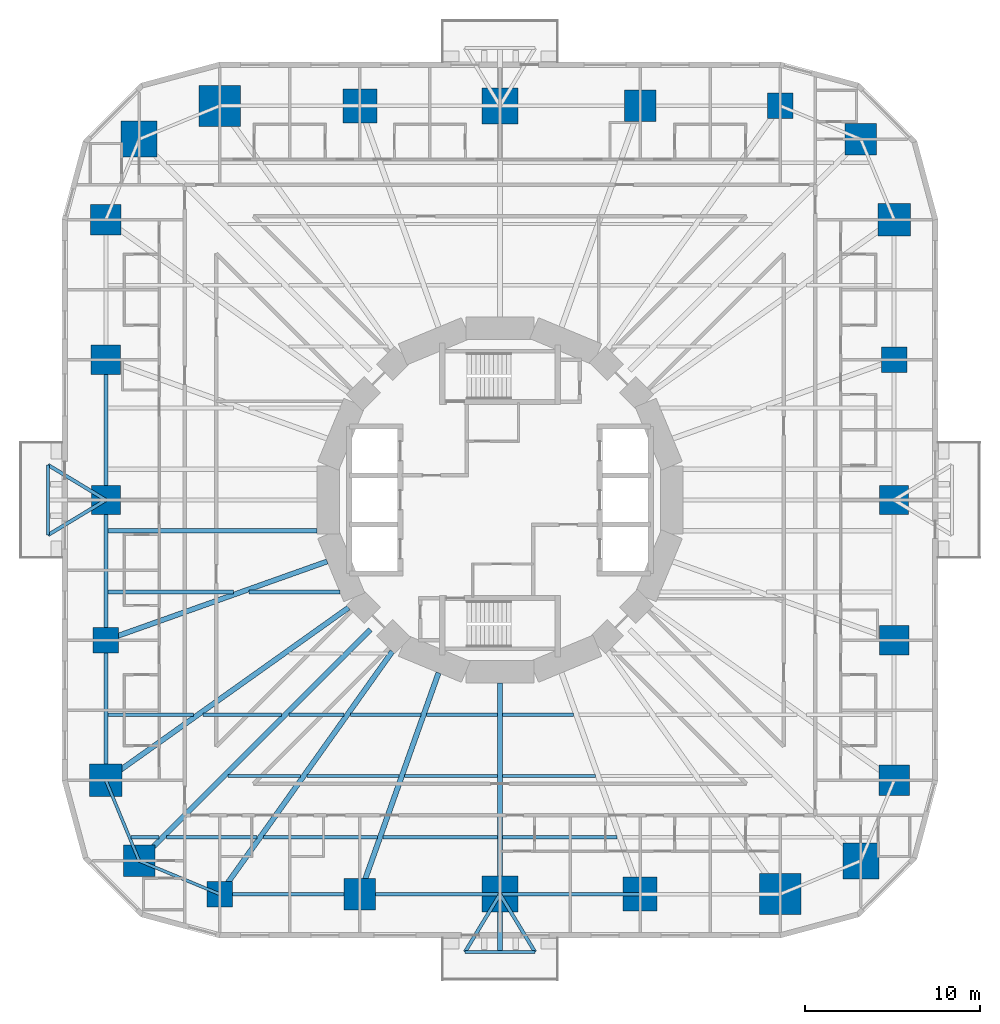
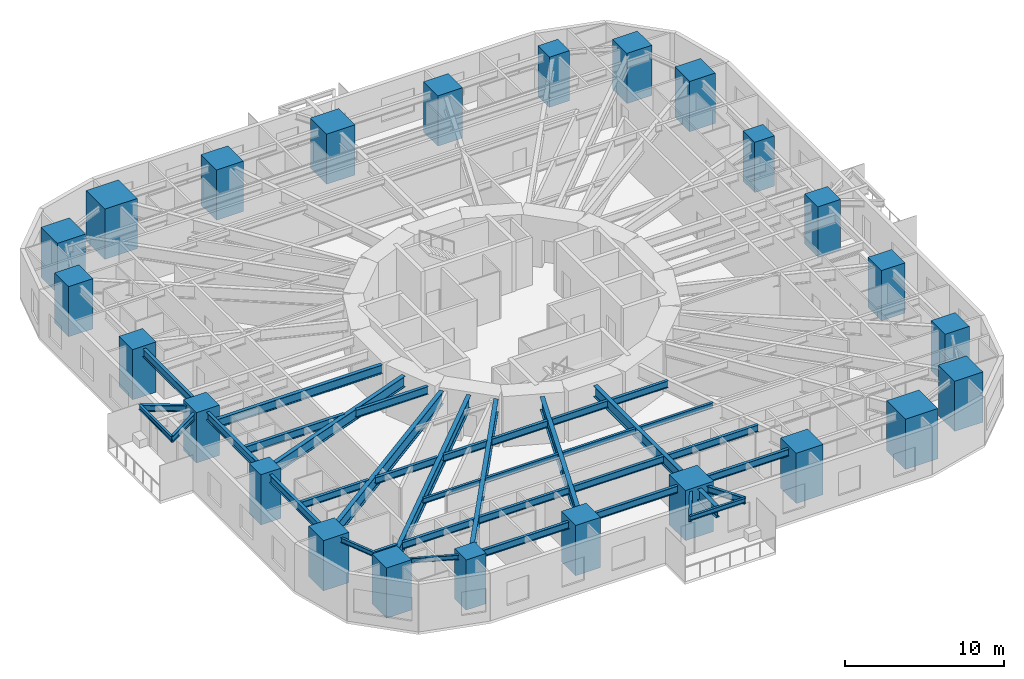
# One storey, part 1 of 14: 38 beams, 24 columns.
"""IFC4 building model written with IfcOpenShell, lengths in metres."""

from ifc_helpers import new_model, si_unit, direction, frame, origin, origin_2d, place, context, subcontext, project, spatial, rectangle, i_section, extrude, material, material_profile, profile_set, type_object, element, save


model = new_model("IFC4")

# Units and contexts
model_context = context("Model", 3, precision=1e-05, world=origin(), true_north=direction((0.0, 1.0)))
body_context = subcontext(model_context, "Body", "Model", "MODEL_VIEW")
ifc_project = project(units=[si_unit("LENGTHUNIT", "METRE"), si_unit("AREAUNIT", "SQUARE_METRE"), si_unit("VOLUMEUNIT", "CUBIC_METRE"), si_unit("PLANEANGLEUNIT", "RADIAN"), si_unit("MASSUNIT", "GRAM", prefix="KILO")], contexts=[model_context])

# Site, building, storey
site_placement = place(None, origin())
site = spatial("IfcSite", under=ifc_project, at=site_placement, CompositionType="ELEMENT")
building_placement = place(site_placement, origin())
building = spatial("IfcBuilding", under=site, at=building_placement, Name="Nakasero Lantern House", CompositionType="ELEMENT")
storey_placement = place(building_placement, frame((0.0, 0.0, 39.10009765625)))
storey = spatial("IfcBuildingStorey", under=building, at=storey_placement, Name="L09", CompositionType="ELEMENT", Elevation=39.10009765625)

# Columns
ifc_material_1 = material(Name="Concrete C50/60", Category="concrete")
ifc_material_profile_1 = material_profile(ifc_material_1, rectangle(XDim=1.800048828125, YDim=1.800048828125, at=origin_2d()), Name="RC 1800x1800")
ifc_profile_set_1 = profile_set([ifc_material_profile_1], Name="Concrete C50/60")
column_type_1 = type_object("IfcColumnType", Name="Mega column RC 1800x1800 C50/60", PredefinedType="COLUMN", material=ifc_profile_set_1)
for number, where, z_axis, x_axis, name in (
    (1, (20.59619140625, 20.59619140625, 0.0), (0.0, 0.0, 1.0), (1.0, 0.0, 0.0), "Column B1-C06 L09"),
    (2, (-20.59619140625, -20.59619140625, 0.0), (0.0, 0.0, 1.0), (1.0, 0.0, 0.0), "Column B1-C18 L09"),
):
    element("IfcColumn", number, at=place(storey_placement, frame(where, z_axis=z_axis, x_axis=x_axis)), inside=storey, type_object=column_type_1, Name=name, PredefinedType="COLUMN", context=body_context, shape_type="SweptSolid", body=[
        extrude(rectangle(XDim=1.800048828125, YDim=1.800048828125, at=origin_2d()), origin(), (0.0, 0.0, 1.0), 3.849853515625),
    ])
ifc_material_2 = material(Name="Concrete C50/60", Category="concrete")
ifc_material_profile_2 = material_profile(ifc_material_2, rectangle(XDim=2.050048828125, YDim=2.050048828125, at=origin_2d()), Name="RC 2050x2050")
ifc_profile_set_2 = profile_set([ifc_material_profile_2], Name="Concrete C50/60")
column_type_2 = type_object("IfcColumnType", Name="Mega column RC 2050x2050 C50/60", PredefinedType="COLUMN", material=ifc_profile_set_2)
for number, where, z_axis, x_axis, name in (
    (3, (-20.59619140625, 20.59619140625, 0.0), (0.0, 0.0, 1.0), (1.0, 0.0, 0.0), "Column B1-C12 L09"),
    (4, (20.59619140625, -20.59619140625, 0.0), (0.0, 0.0, 1.0), (1.0, 0.0, 0.0), "Column B1-C24 L09"),
):
    element("IfcColumn", number, at=place(storey_placement, frame(where, z_axis=z_axis, x_axis=x_axis)), inside=storey, type_object=column_type_2, Name=name, PredefinedType="COLUMN", context=body_context, shape_type="SweptSolid", body=[
        extrude(rectangle(XDim=2.050048828125, YDim=2.050048828125, at=origin_2d()), origin(), (0.0, 0.0, 1.0), 3.849853515625),
    ])
ifc_material_3 = material(Name="Concrete C50/60", Category="concrete")
ifc_material_profile_3 = material_profile(ifc_material_3, rectangle(XDim=1.449951171875, YDim=1.449951171875, at=origin_2d()), Name="RC 1450x1450")
ifc_profile_set_3 = profile_set([ifc_material_profile_3], Name="Concrete C50/60")
column_type_3 = type_object("IfcColumnType", Name="Ring column RC 1450x1450 C50/60", PredefinedType="COLUMN", material=ifc_profile_set_3)
for number, where, z_axis, x_axis, name in (
    (5, (22.5, 8.0, 0.0), (0.0, 0.0, 1.0), (1.0, 0.0, 0.0), "Column B1-C04 L09"),
    (6, (16.0, 22.5, 0.0), (0.0, 0.0, 1.0), (1.0, 0.0, 0.0), "Column B1-C07 L09"),
    (7, (-22.5, -8.0, 0.0), (0.0, 0.0, 1.0), (1.0, 0.0, 0.0), "Column B1-C16 L09"),
    (8, (-16.0, -22.5, 0.0), (0.0, 0.0, 1.0), (1.0, 0.0, 0.0), "Column B1-C19 L09"),
):
    element("IfcColumn", number, at=place(storey_placement, frame(where, z_axis=z_axis, x_axis=x_axis)), inside=storey, type_object=column_type_3, Name=name, PredefinedType="COLUMN", context=body_context, shape_type="SweptSolid", body=[
        extrude(rectangle(XDim=1.449951171875, YDim=1.449951171875, at=origin_2d()), origin(), (0.0, 0.0, 1.0), 3.849853515625),
    ])
ifc_material_4 = material(Name="Concrete C50/60", Category="concrete")
ifc_material_profile_4 = material_profile(ifc_material_4, rectangle(XDim=1.64990234375, YDim=1.64990234375, at=origin_2d()), Name="RC 1650x1650")
ifc_profile_set_4 = profile_set([ifc_material_profile_4], Name="Concrete C50/60")
column_type_4 = type_object("IfcColumnType", Name="Ring column RC 1650x1650 C50/60", PredefinedType="COLUMN", material=ifc_profile_set_4)
for number, where, z_axis, x_axis, name in (
    (9, (22.5, 0.0, 0.0), (0.0, 0.0, 1.0), (1.0, 0.0, 0.0), "Column B1-C03 L09"),
    (10, (-22.5, 0.0, 0.0), (0.0, 0.0, 1.0), (1.0, 0.0, 0.0), "Column B1-C15 L09"),
):
    element("IfcColumn", number, at=place(storey_placement, frame(where, z_axis=z_axis, x_axis=x_axis)), inside=storey, type_object=column_type_4, Name=name, PredefinedType="COLUMN", context=body_context, shape_type="SweptSolid", body=[
        extrude(rectangle(XDim=1.64990234375, YDim=1.64990234375, at=origin_2d()), origin(), (0.0, 0.0, 1.0), 3.849853515625),
    ])
ifc_material_5 = material(Name="Concrete C50/60", Category="concrete")
ifc_material_profile_5 = material_profile(ifc_material_5, rectangle(XDim=1.699951171875, YDim=1.699951171875, at=origin_2d()), Name="RC 1700x1700")
ifc_profile_set_5 = profile_set([ifc_material_profile_5], Name="Concrete C50/60")
column_type_5 = type_object("IfcColumnType", Name="Ring column RC 1700x1700 C50/60", PredefinedType="COLUMN", material=ifc_profile_set_5)
for number, where, z_axis, x_axis, name in (
    (11, (22.5, -8.0, 0.0), (0.0, 0.0, 1.0), (1.0, 0.0, 0.0), "Column B1-C02 L09"),
    (12, (-22.5, 8.0, 0.0), (0.0, 0.0, 1.0), (1.0, 0.0, 0.0), "Column B1-C14 L09"),
):
    element("IfcColumn", number, at=place(storey_placement, frame(where, z_axis=z_axis, x_axis=x_axis)), inside=storey, type_object=column_type_5, Name=name, PredefinedType="COLUMN", context=body_context, shape_type="SweptSolid", body=[
        extrude(rectangle(XDim=1.699951171875, YDim=1.699951171875, at=origin_2d()), origin(), (0.0, 0.0, 1.0), 3.849853515625),
    ])
ifc_material_6 = material(Name="Concrete C50/60", Category="concrete")
ifc_material_profile_6 = material_profile(ifc_material_6, rectangle(XDim=1.75, YDim=1.75, at=origin_2d()), Name="RC 1750x1750")
ifc_profile_set_6 = profile_set([ifc_material_profile_6], Name="Concrete C50/60")
column_type_6 = type_object("IfcColumnType", Name="Ring column RC 1750x1750 C50/60", PredefinedType="COLUMN", material=ifc_profile_set_6)
for number, where, z_axis, x_axis, name in (
    (13, (22.5, -16.0, 0.0), (0.0, 0.0, 1.0), (1.0, 0.0, 0.0), "Column B1-C01 L09"),
    (14, (-22.5, 16.0, 0.0), (0.0, 0.0, 1.0), (1.0, 0.0, 0.0), "Column B1-C13 L09"),
):
    element("IfcColumn", number, at=place(storey_placement, frame(where, z_axis=z_axis, x_axis=x_axis)), inside=storey, type_object=column_type_6, Name=name, PredefinedType="COLUMN", context=body_context, shape_type="SweptSolid", body=[
        extrude(rectangle(XDim=1.75, YDim=1.75, at=origin_2d()), origin(), (0.0, 0.0, 1.0), 3.849853515625),
    ])
ifc_material_7 = material(Name="Concrete C50/60", Category="concrete")
ifc_material_profile_7 = material_profile(ifc_material_7, rectangle(XDim=1.800048828125, YDim=1.800048828125, at=origin_2d()), Name="RC 1800x1800")
ifc_profile_set_7 = profile_set([ifc_material_profile_7], Name="Concrete C50/60")
column_type_7 = type_object("IfcColumnType", Name="Ring column RC 1800x1800 C50/60", PredefinedType="COLUMN", material=ifc_profile_set_7)
for number, where, z_axis, x_axis, name in (
    (15, (8.0, 22.5, 0.0), (0.0, 0.0, 1.0), (1.0, 0.0, 0.0), "Column B1-C08 L09"),
    (16, (-8.0, -22.5, 0.0), (0.0, 0.0, 1.0), (1.0, 0.0, 0.0), "Column B1-C20 L09"),
):
    element("IfcColumn", number, at=place(storey_placement, frame(where, z_axis=z_axis, x_axis=x_axis)), inside=storey, type_object=column_type_7, Name=name, PredefinedType="COLUMN", context=body_context, shape_type="SweptSolid", body=[
        extrude(rectangle(XDim=1.800048828125, YDim=1.800048828125, at=origin_2d()), origin(), (0.0, 0.0, 1.0), 3.849853515625),
    ])
ifc_material_8 = material(Name="Concrete C50/60", Category="concrete")
ifc_material_profile_8 = material_profile(ifc_material_8, rectangle(XDim=1.85009765625, YDim=1.85009765625, at=origin_2d()), Name="RC 1850x1850")
ifc_profile_set_8 = profile_set([ifc_material_profile_8], Name="Concrete C50/60")
column_type_8 = type_object("IfcColumnType", Name="Ring column RC 1850x1850 C50/60", PredefinedType="COLUMN", material=ifc_profile_set_8)
for number, where, z_axis, x_axis, name in (
    (17, (22.5, 16.0, 0.0), (0.0, 0.0, 1.0), (1.0, 0.0, 0.0), "Column B1-C05 L09"),
    (18, (-22.5, -16.0, 0.0), (0.0, 0.0, 1.0), (1.0, 0.0, 0.0), "Column B1-C17 L09"),
):
    element("IfcColumn", number, at=place(storey_placement, frame(where, z_axis=z_axis, x_axis=x_axis)), inside=storey, type_object=column_type_8, Name=name, PredefinedType="COLUMN", context=body_context, shape_type="SweptSolid", body=[
        extrude(rectangle(XDim=1.85009765625, YDim=1.85009765625, at=origin_2d()), origin(), (0.0, 0.0, 1.0), 3.849853515625),
    ])
ifc_material_9 = material(Name="Concrete C50/60", Category="concrete")
ifc_material_profile_9 = material_profile(ifc_material_9, rectangle(XDim=1.949951171875, YDim=1.949951171875, at=origin_2d()), Name="RC 1950x1950")
ifc_profile_set_9 = profile_set([ifc_material_profile_9], Name="Concrete C50/60")
column_type_9 = type_object("IfcColumnType", Name="Ring column RC 1950x1950 C50/60", PredefinedType="COLUMN", material=ifc_profile_set_9)
for number, where, z_axis, x_axis, name in (
    (19, (-8.0, 22.5, 0.0), (0.0, 0.0, 1.0), (1.0, 0.0, 0.0), "Column B1-C10 L09"),
    (20, (8.0, -22.5, 0.0), (0.0, 0.0, 1.0), (1.0, 0.0, 0.0), "Column B1-C22 L09"),
):
    element("IfcColumn", number, at=place(storey_placement, frame(where, z_axis=z_axis, x_axis=x_axis)), inside=storey, type_object=column_type_9, Name=name, PredefinedType="COLUMN", context=body_context, shape_type="SweptSolid", body=[
        extrude(rectangle(XDim=1.949951171875, YDim=1.949951171875, at=origin_2d()), origin(), (0.0, 0.0, 1.0), 3.849853515625),
    ])
ifc_material_10 = material(Name="Concrete C50/60", Category="concrete")
ifc_material_profile_10 = material_profile(ifc_material_10, rectangle(XDim=2.050048828125, YDim=2.050048828125, at=origin_2d()), Name="RC 2050x2050")
ifc_profile_set_10 = profile_set([ifc_material_profile_10], Name="Concrete C50/60")
column_type_10 = type_object("IfcColumnType", Name="Ring column RC 2050x2050 C50/60", PredefinedType="COLUMN", material=ifc_profile_set_10)
for number, where, z_axis, x_axis, name in (
    (21, (0.0, 22.5, 0.0), (0.0, 0.0, 1.0), (1.0, 0.0, 0.0), "Column B1-C09 L09"),
    (22, (0.0, -22.5, 0.0), (0.0, 0.0, 1.0), (1.0, 0.0, 0.0), "Column B1-C21 L09"),
):
    element("IfcColumn", number, at=place(storey_placement, frame(where, z_axis=z_axis, x_axis=x_axis)), inside=storey, type_object=column_type_10, Name=name, PredefinedType="COLUMN", context=body_context, shape_type="SweptSolid", body=[
        extrude(rectangle(XDim=2.050048828125, YDim=2.050048828125, at=origin_2d()), origin(), (0.0, 0.0, 1.0), 3.849853515625),
    ])
ifc_material_11 = material(Name="Concrete C50/60", Category="concrete")
ifc_material_profile_11 = material_profile(ifc_material_11, rectangle(XDim=2.35009765625, YDim=2.35009765625, at=origin_2d()), Name="RC 2350x2350")
ifc_profile_set_11 = profile_set([ifc_material_profile_11], Name="Concrete C50/60")
column_type_11 = type_object("IfcColumnType", Name="Ring column RC 2350x2350 C50/60", PredefinedType="COLUMN", material=ifc_profile_set_11)
for number, where, z_axis, x_axis, name in (
    (23, (-16.0, 22.5, 0.0), (0.0, 0.0, 1.0), (1.0, 0.0, 0.0), "Column B1-C11 L09"),
    (24, (16.0, -22.5, 0.0), (0.0, 0.0, 1.0), (1.0, 0.0, 0.0), "Column B1-C23 L09"),
):
    element("IfcColumn", number, at=place(storey_placement, frame(where, z_axis=z_axis, x_axis=x_axis)), inside=storey, type_object=column_type_11, Name=name, PredefinedType="COLUMN", context=body_context, shape_type="SweptSolid", body=[
        extrude(rectangle(XDim=2.35009765625, YDim=2.35009765625, at=origin_2d()), origin(), (0.0, 0.0, 1.0), 3.849853515625),
    ])

# Beams
ifc_material_12 = material(Name="Steel S355", Category="steel")
ifc_material_profile_12 = material_profile(ifc_material_12, i_section(OverallWidth=0.199462890625, OverallDepth=0.491943359375, WebThickness=0.01806640625, FlangeThickness=0.031982421875, FilletRadius=0.01025390625, at=origin_2d()), Name="UB 457x191x161")
ifc_profile_set_12 = profile_set([ifc_material_profile_12], Name="Steel S355")
beam_type_1 = type_object("IfcBeamType", Name="Balcony splay beam UB 457x191x161", PredefinedType="BEAM", material=ifc_profile_set_12)
for number, where, z_axis, x_axis, name in (
    (25, (-22.5, 0.0, 3.40380859375), (-0.855201230787, -0.518296107317, 0.0), (0.518296107317, -0.855201230787, 0.0), "Balcony splay beam L10 B1-C15A"),
    (26, (-22.5, 0.0, 3.40380859375), (-0.855201230787, 0.518296107317, 0.0), (-0.518296107317, -0.855201230787, 0.0), "Balcony splay beam L10 B1-C15B"),
    (27, (0.0, -22.5, 3.40380859375), (0.518296107317, -0.855201230787, 0.0), (0.855201230787, 0.518296107317, 0.0), "Balcony splay beam L10 B1-C21A"),
    (28, (0.0, -22.5, 3.40380859375), (-0.518296107317, -0.855201230787, 0.0), (0.855201230787, -0.518296107317, 0.0), "Balcony splay beam L10 B1-C21B"),
):
    element("IfcBeam", number, at=place(storey_placement, frame(where, z_axis=z_axis, x_axis=x_axis)), inside=storey, type_object=beam_type_1, Name=name, PredefinedType="BEAM", context=body_context, shape_type="SweptSolid", body=[
        extrude(i_section(OverallWidth=0.199462890625, OverallDepth=0.491943359375, WebThickness=0.01806640625, FlangeThickness=0.031982421875, FilletRadius=0.01025390625, at=origin_2d()), origin(), (0.0, 0.0, 1.0), 3.85888671875),
    ])
ifc_material_13 = material(Name="Steel S355", Category="steel")
ifc_material_profile_13 = material_profile(ifc_material_13, i_section(OverallWidth=0.17138671875, OverallDepth=0.35498046875, WebThickness=0.00732421875, FlangeThickness=0.011474609375, FilletRadius=0.01025390625, at=origin_2d()), Name="UB 356x171x51")
ifc_profile_set_13 = profile_set([ifc_material_profile_13], Name="Steel S355")
beam_type_2 = type_object("IfcBeamType", Name="Balcony tie beam UB 356x171x51", PredefinedType="BEAM", material=ifc_profile_set_13)
for number, where, z_axis, x_axis, name in (
    (29, (-25.800048828125, -2.0, 3.472412109375), (0.0, 1.0, 0.0), (-1.0, 0.0, 0.0), "Balcony tie beam L10 B1-C15"),
    (30, (2.0, -25.800048828125, 3.472412109375), (-1.0, 0.0, 0.0), (0.0, -1.0, 0.0), "Balcony tie beam L10 B1-C21"),
):
    element("IfcBeam", number, at=place(storey_placement, frame(where, z_axis=z_axis, x_axis=x_axis)), inside=storey, type_object=beam_type_2, Name=name, PredefinedType="BEAM", context=body_context, shape_type="SweptSolid", body=[
        extrude(i_section(OverallWidth=0.17138671875, OverallDepth=0.35498046875, WebThickness=0.00732421875, FlangeThickness=0.011474609375, FilletRadius=0.01025390625, at=origin_2d()), origin(), (0.0, 0.0, 1.0), 4.0),
    ])
ifc_material_14 = material(Name="Steel S355", Category="steel")
ifc_material_profile_14 = material_profile(ifc_material_14, i_section(OverallWidth=0.177978515625, OverallDepth=0.406494140625, WebThickness=0.0078125, FlangeThickness=0.0126953125, FilletRadius=0.01025390625, at=origin_2d()), Name="UB 406x178x60")
ifc_profile_set_14 = profile_set([ifc_material_profile_14], Name="Steel S355")
beam_type_3 = type_object("IfcBeamType", Name="Infill beam UB 406x178x60", PredefinedType="JOIST", material=ifc_profile_set_14)
beam_1_placement = place(storey_placement, frame((-15.537841796875, -15.75, 3.44677734375), z_axis=(1.0, 0.0, 0.0), x_axis=(0.0, 1.0, 0.0)))
element("IfcBeam", 31, at=beam_1_placement, inside=storey, type_object=beam_type_3, Name="Infill beam L10 03.1", PredefinedType="JOIST", context=body_context, shape_type="SweptSolid", body=[
    extrude(i_section(OverallWidth=0.177978515625, OverallDepth=0.406494140625, WebThickness=0.0078125, FlangeThickness=0.0126953125, FilletRadius=0.01025390625, at=origin_2d()), origin(), (0.0, 0.0, 1.0), 4.15380859375),
])
beam_2_placement = place(storey_placement, frame((-11.015869140625, -15.75, 3.44677734375), z_axis=(1.0, 0.0, 0.0), x_axis=(0.0, 1.0, 0.0)))
element("IfcBeam", 32, at=beam_2_placement, inside=storey, type_object=beam_type_3, Name="Infill beam L10 03.2", PredefinedType="JOIST", context=body_context, shape_type="SweptSolid", body=[
    extrude(i_section(OverallWidth=0.177978515625, OverallDepth=0.406494140625, WebThickness=0.0078125, FlangeThickness=0.0126953125, FilletRadius=0.01025390625, at=origin_2d()), origin(), (0.0, 0.0, 1.0), 5.256591796875),
])
for number, where, z_axis, x_axis, name in (
    (33, (-5.44091796875, -15.75, 3.44677734375), (1.0, 0.0, 0.0), (0.0, 1.0, 0.0), "Infill beam L10 03.3"),
    (34, (0.146240234375, -15.75, 3.44677734375), (1.0, 0.0, 0.0), (0.0, 1.0, 0.0), "Infill beam L10 03.4"),
):
    element("IfcBeam", number, at=place(storey_placement, frame(where, z_axis=z_axis, x_axis=x_axis)), inside=storey, type_object=beam_type_3, Name=name, PredefinedType="JOIST", context=body_context, shape_type="SweptSolid", body=[
        extrude(i_section(OverallWidth=0.177978515625, OverallDepth=0.406494140625, WebThickness=0.0078125, FlangeThickness=0.0126953125, FilletRadius=0.01025390625, at=origin_2d()), origin(), (0.0, 0.0, 1.0), 5.294677734375),
    ])
ifc_material_15 = material(Name="Steel S355", Category="steel")
ifc_material_profile_15 = material_profile(ifc_material_15, i_section(OverallWidth=0.208740234375, OverallDepth=0.5283203125, WebThickness=0.009521484375, FlangeThickness=0.01318359375, FilletRadius=0.0126953125, at=origin_2d()), Name="UB 533x210x82")
ifc_profile_set_15 = profile_set([ifc_material_profile_15], Name="Steel S355")
beam_type_4 = type_object("IfcBeamType", Name="Infill beam UB 533x210x82", PredefinedType="JOIST", material=ifc_profile_set_15)
beam_3_placement = place(storey_placement, frame((-21.06103515625, -19.25, 3.3857421875), z_axis=(1.0, 0.0, 0.0), x_axis=(0.0, 1.0, 0.0)))
element("IfcBeam", 35, at=beam_3_placement, inside=storey, type_object=beam_type_4, Name="Infill beam L10 02.1", PredefinedType="JOIST", context=body_context, shape_type="SweptSolid", body=[
    extrude(i_section(OverallWidth=0.208740234375, OverallDepth=0.5283203125, WebThickness=0.009521484375, FlangeThickness=0.01318359375, FilletRadius=0.0126953125, at=origin_2d()), origin(), (0.0, 0.0, 1.0), 1.598876953125),
])
beam_4_placement = place(storey_placement, frame((-19.037841796875, -19.25, 3.3857421875), z_axis=(1.0, 0.0, 0.0), x_axis=(0.0, 1.0, 0.0)))
element("IfcBeam", 36, at=beam_4_placement, inside=storey, type_object=beam_type_4, Name="Infill beam L10 02.2", PredefinedType="JOIST", context=body_context, shape_type="SweptSolid", body=[
    extrude(i_section(OverallWidth=0.208740234375, OverallDepth=0.5283203125, WebThickness=0.009521484375, FlangeThickness=0.01318359375, FilletRadius=0.0126953125, at=origin_2d()), origin(), (0.0, 0.0, 1.0), 5.164794921875),
])
beam_5_placement = place(storey_placement, frame((-13.5048828125, -19.25, 3.3857421875), z_axis=(1.0, 0.0, 0.0), x_axis=(0.0, 1.0, 0.0)))
element("IfcBeam", 37, at=beam_5_placement, inside=storey, type_object=beam_type_4, Name="Infill beam L10 02.3", PredefinedType="JOIST", context=body_context, shape_type="SweptSolid", body=[
    extrude(i_section(OverallWidth=0.208740234375, OverallDepth=0.5283203125, WebThickness=0.009521484375, FlangeThickness=0.01318359375, FilletRadius=0.0126953125, at=origin_2d()), origin(), (0.0, 0.0, 1.0), 6.501220703125),
])
for number, where, z_axis, x_axis, name in (
    (38, (-6.685302734375, -19.25, 3.3857421875), (1.0, 0.0, 0.0), (0.0, 1.0, 0.0), "Infill beam L10 02.4"),
    (39, (0.146240234375, -19.25, 3.3857421875), (1.0, 0.0, 0.0), (0.0, 1.0, 0.0), "Infill beam L10 02.5"),
):
    element("IfcBeam", number, at=place(storey_placement, frame(where, z_axis=z_axis, x_axis=x_axis)), inside=storey, type_object=beam_type_4, Name=name, PredefinedType="JOIST", context=body_context, shape_type="SweptSolid", body=[
        extrude(i_section(OverallWidth=0.208740234375, OverallDepth=0.5283203125, WebThickness=0.009521484375, FlangeThickness=0.01318359375, FilletRadius=0.0126953125, at=origin_2d()), origin(), (0.0, 0.0, 1.0), 6.5390625),
    ])
beam_6_placement = place(storey_placement, frame((-22.385498046875, -12.25, 3.3857421875), z_axis=(1.0, 0.0, 0.0), x_axis=(0.0, 1.0, 0.0)))
element("IfcBeam", 40, at=beam_6_placement, inside=storey, type_object=beam_type_4, Name="Infill beam L10 04.1", PredefinedType="JOIST", context=body_context, shape_type="SweptSolid", body=[
    extrude(i_section(OverallWidth=0.208740234375, OverallDepth=0.5283203125, WebThickness=0.009521484375, FlangeThickness=0.01318359375, FilletRadius=0.0126953125, at=origin_2d()), origin(), (0.0, 0.0, 1.0), 4.900146484375),
])
beam_7_placement = place(storey_placement, frame((-16.9677734375, -12.25, 3.3857421875), z_axis=(1.0, 0.0, 0.0), x_axis=(0.0, 1.0, 0.0)))
element("IfcBeam", 41, at=beam_7_placement, inside=storey, type_object=beam_type_4, Name="Infill beam L10 04.2", PredefinedType="JOIST", context=body_context, shape_type="SweptSolid", body=[
    extrude(i_section(OverallWidth=0.208740234375, OverallDepth=0.5283203125, WebThickness=0.009521484375, FlangeThickness=0.01318359375, FilletRadius=0.0126953125, at=origin_2d()), origin(), (0.0, 0.0, 1.0), 4.505615234375),
])
beam_8_placement = place(storey_placement, frame((-12.037841796875, -12.25, 3.3857421875), z_axis=(1.0, 0.0, 0.0), x_axis=(0.0, 1.0, 0.0)))
element("IfcBeam", 42, at=beam_8_placement, inside=storey, type_object=beam_type_4, Name="Infill beam L10 04.3", PredefinedType="JOIST", context=body_context, shape_type="SweptSolid", body=[
    extrude(i_section(OverallWidth=0.208740234375, OverallDepth=0.5283203125, WebThickness=0.009521484375, FlangeThickness=0.01318359375, FilletRadius=0.0126953125, at=origin_2d()), origin(), (0.0, 0.0, 1.0), 3.142578125),
])
beam_9_placement = place(storey_placement, frame((-8.527099609375, -12.25, 3.3857421875), z_axis=(1.0, 0.0, 0.0), x_axis=(0.0, 1.0, 0.0)))
element("IfcBeam", 43, at=beam_9_placement, inside=storey, type_object=beam_type_4, Name="Infill beam L10 04.4", PredefinedType="JOIST", context=body_context, shape_type="SweptSolid", body=[
    extrude(i_section(OverallWidth=0.208740234375, OverallDepth=0.5283203125, WebThickness=0.009521484375, FlangeThickness=0.01318359375, FilletRadius=0.0126953125, at=origin_2d()), origin(), (0.0, 0.0, 1.0), 4.012451171875),
])
for number, where, z_axis, x_axis, name in (
    (44, (-4.1962890625, -12.25, 3.3857421875), (1.0, 0.0, 0.0), (0.0, 1.0, 0.0), "Infill beam L10 04.5"),
    (45, (0.146240234375, -12.25, 3.3857421875), (1.0, 0.0, 0.0), (0.0, 1.0, 0.0), "Infill beam L10 04.6"),
):
    element("IfcBeam", number, at=place(storey_placement, frame(where, z_axis=z_axis, x_axis=x_axis)), inside=storey, type_object=beam_type_4, Name=name, PredefinedType="JOIST", context=body_context, shape_type="SweptSolid", body=[
        extrude(i_section(OverallWidth=0.208740234375, OverallDepth=0.5283203125, WebThickness=0.009521484375, FlangeThickness=0.01318359375, FilletRadius=0.0126953125, at=origin_2d()), origin(), (0.0, 0.0, 1.0), 4.050048828125),
    ])
ifc_material_16 = material(Name="Steel S355", Category="steel")
ifc_material_profile_16 = material_profile(ifc_material_16, i_section(OverallWidth=0.2275390625, OverallDepth=0.6025390625, WebThickness=0.010498046875, FlangeThickness=0.014892578125, FilletRadius=0.0126953125, at=origin_2d()), Name="UB 610x229x101")
ifc_profile_set_16 = profile_set([ifc_material_profile_16], Name="Steel S355")
beam_type_5 = type_object("IfcBeamType", Name="Infill beam UB 610x229x101", PredefinedType="JOIST", material=ifc_profile_set_16)
beam_10_placement = place(storey_placement, frame((-22.385498046875, -5.25, 3.3486328125), z_axis=(1.0, 0.0, 0.0), x_axis=(0.0, 1.0, 0.0)))
element("IfcBeam", 46, at=beam_10_placement, inside=storey, type_object=beam_type_5, Name="Infill beam L10 06.1", PredefinedType="JOIST", context=body_context, shape_type="SweptSolid", body=[
    extrude(i_section(OverallWidth=0.2275390625, OverallDepth=0.6025390625, WebThickness=0.010498046875, FlangeThickness=0.014892578125, FilletRadius=0.0126953125, at=origin_2d()), origin(), (0.0, 0.0, 1.0), 7.183349609375),
])
beam_11_placement = place(storey_placement, frame((-14.3291015625, -5.25, 3.3486328125), z_axis=(1.0, 0.0, 0.0), x_axis=(0.0, 1.0, 0.0)))
element("IfcBeam", 47, at=beam_11_placement, inside=storey, type_object=beam_type_5, Name="Infill beam L10 06.2", PredefinedType="JOIST", context=body_context, shape_type="SweptSolid", body=[
    extrude(i_section(OverallWidth=0.2275390625, OverallDepth=0.6025390625, WebThickness=0.010498046875, FlangeThickness=0.014892578125, FilletRadius=0.0126953125, at=origin_2d()), origin(), (0.0, 0.0, 1.0), 5.184326171875),
])
ifc_material_17 = material(Name="Steel S355", Category="steel")
ifc_material_profile_17 = material_profile(ifc_material_17, i_section(OverallWidth=0.253662109375, OverallDepth=0.68359375, WebThickness=0.012451171875, FlangeThickness=0.01904296875, FilletRadius=0.01513671875, at=origin_2d()), Name="UB 686x254x140")
ifc_profile_set_17 = profile_set([ifc_material_profile_17], Name="Steel S355")
beam_type_6 = type_object("IfcBeamType", Name="Infill beam UB 686x254x140", PredefinedType="JOIST", material=ifc_profile_set_17)
beam_12_placement = place(storey_placement, frame((-22.385498046875, -1.75, 3.30810546875), z_axis=(1.0, 0.0, 0.0), x_axis=(0.0, 1.0, 0.0)))
element("IfcBeam", 48, at=beam_12_placement, inside=storey, type_object=beam_type_6, Name="Infill beam L10 07.1", PredefinedType="JOIST", context=body_context, shape_type="SweptSolid", body=[
    extrude(i_section(OverallWidth=0.253662109375, OverallDepth=0.68359375, WebThickness=0.012451171875, FlangeThickness=0.01904296875, FilletRadius=0.01513671875, at=origin_2d()), origin(), (0.0, 0.0, 1.0), 11.927734375),
])
ifc_material_18 = material(Name="Steel S355", Category="steel")
ifc_material_profile_18 = material_profile(ifc_material_18, i_section(OverallWidth=0.300048828125, OverallDepth=0.97021484375, WebThickness=0.01611328125, FlangeThickness=0.02099609375, FilletRadius=0.030029296875, at=origin_2d()), Name="UB 1016x305x222")
ifc_profile_set_18 = profile_set([ifc_material_profile_18], Name="Steel S355")
beam_type_7 = type_object("IfcBeamType", Name="Primary beam UB 1016x305x222, span 12 to 15 m", PredefinedType="BEAM", material=ifc_profile_set_18)
beam_13_placement = place(storey_placement, frame((-8.0, -22.5, 3.164794921875), z_axis=(0.335010745293, 0.942214307118, 0.0), x_axis=(-0.942214307118, 0.335010745293, 0.0)))
element("IfcBeam", 49, at=beam_13_placement, inside=storey, type_object=beam_type_7, Name="Primary beam L10 B1-C20", PredefinedType="BEAM", context=body_context, shape_type="SweptSolid", body=[
    extrude(i_section(OverallWidth=0.300048828125, OverallDepth=0.97021484375, WebThickness=0.01611328125, FlangeThickness=0.02099609375, FilletRadius=0.030029296875, at=origin_2d()), origin(), (0.0, 0.0, 1.0), 13.408447265625),
])
ifc_material_19 = material(Name="Steel S355", Category="steel")
ifc_material_profile_19 = material_profile(ifc_material_19, i_section(OverallWidth=0.300048828125, OverallDepth=0.989990234375, WebThickness=0.0166015625, FlangeThickness=0.031005859375, FilletRadius=0.030029296875, at=origin_2d()), Name="UB 1016x305x272")
ifc_profile_set_19 = profile_set([ifc_material_profile_19], Name="Steel S355")
beam_type_8 = type_object("IfcBeamType", Name="Primary beam UB 1016x305x272, span over 15 m", PredefinedType="BEAM", material=ifc_profile_set_19)
beam_14_placement = place(storey_placement, frame((-22.5, -16.0, 3.15478515625), z_axis=(0.814952159915, 0.579528236629, 0.0), x_axis=(-0.579528236629, 0.814952159915, 0.0)))
element("IfcBeam", 50, at=beam_14_placement, inside=storey, type_object=beam_type_8, Name="Primary beam L10 B1-C17", PredefinedType="BEAM", context=body_context, shape_type="SweptSolid", body=[
    extrude(i_section(OverallWidth=0.300048828125, OverallDepth=0.989990234375, WebThickness=0.0166015625, FlangeThickness=0.031005859375, FilletRadius=0.030029296875, at=origin_2d()), origin(), (0.0, 0.0, 1.0), 17.003173828125),
])
beam_15_placement = place(storey_placement, frame((-20.59619140625, -20.59619140625, 3.15478515625), z_axis=(0.707106781187, 0.707106781187, 0.0), x_axis=(-0.707106781187, 0.707106781187, 0.0)))
element("IfcBeam", 51, at=beam_15_placement, inside=storey, type_object=beam_type_8, Name="Primary beam L10 B1-C18", PredefinedType="BEAM", context=body_context, shape_type="SweptSolid", body=[
    extrude(i_section(OverallWidth=0.300048828125, OverallDepth=0.989990234375, WebThickness=0.0166015625, FlangeThickness=0.031005859375, FilletRadius=0.030029296875, at=origin_2d()), origin(), (0.0, 0.0, 1.0), 18.669677734375),
])
ifc_material_20 = material(Name="Steel S355", Category="steel")
ifc_material_profile_20 = material_profile(ifc_material_20, i_section(OverallWidth=0.300048828125, OverallDepth=1.0, WebThickness=0.01904296875, FlangeThickness=0.035888671875, FilletRadius=0.030029296875, at=origin_2d()), Name="UB 1016x305x314")
ifc_profile_set_20 = profile_set([ifc_material_profile_20], Name="Steel S355")
beam_type_9 = type_object("IfcBeamType", Name="Primary beam UB 1016x305x314, span over 15 m", PredefinedType="BEAM", material=ifc_profile_set_20)
beam_16_placement = place(storey_placement, frame((-16.0, -22.5, 3.14990234375), z_axis=(0.579528236629, 0.814952159915, 0.0), x_axis=(-0.814952159915, 0.579528236629, 0.0)))
element("IfcBeam", 52, at=beam_16_placement, inside=storey, type_object=beam_type_9, Name="Primary beam L10 B1-C19", PredefinedType="BEAM", context=body_context, shape_type="SweptSolid", body=[
    extrude(i_section(OverallWidth=0.300048828125, OverallDepth=1.0, WebThickness=0.01904296875, FlangeThickness=0.035888671875, FilletRadius=0.030029296875, at=origin_2d()), origin(), (0.0, 0.0, 1.0), 17.003173828125),
])
ifc_material_21 = material(Name="Steel S355", Category="steel")
ifc_material_profile_21 = material_profile(ifc_material_21, i_section(OverallWidth=0.29248046875, OverallDepth=0.8408203125, WebThickness=0.0146484375, FlangeThickness=0.02685546875, FilletRadius=0.017822265625, at=origin_2d()), Name="UB 838x292x194")
ifc_profile_set_21 = profile_set([ifc_material_profile_21], Name="Steel S355")
beam_type_10 = type_object("IfcBeamType", Name="Primary beam UB 838x292x194, span 12 to 15 m", PredefinedType="BEAM", material=ifc_profile_set_21)
beam_17_placement = place(storey_placement, frame((-22.5, -8.0, 3.2294921875), z_axis=(0.942214307118, 0.335010745293, 0.0), x_axis=(-0.335010745293, 0.942214307118, 0.0)))
element("IfcBeam", 53, at=beam_17_placement, inside=storey, type_object=beam_type_10, Name="Primary beam L10 B1-C16", PredefinedType="BEAM", context=body_context, shape_type="SweptSolid", body=[
    extrude(i_section(OverallWidth=0.29248046875, OverallDepth=0.8408203125, WebThickness=0.0146484375, FlangeThickness=0.02685546875, FilletRadius=0.017822265625, at=origin_2d()), origin(), (0.0, 0.0, 1.0), 13.408447265625),
])
beam_18_placement = place(storey_placement, frame((0.0, -25.800048828125, 3.2294921875), z_axis=(0.0, 1.0, 0.0), x_axis=(-1.0, 0.0, 0.0)))
element("IfcBeam", 54, at=beam_18_placement, inside=storey, type_object=beam_type_10, Name="Primary beam L10 B1-C21", PredefinedType="BEAM", context=body_context, shape_type="SweptSolid", body=[
    extrude(i_section(OverallWidth=0.29248046875, OverallDepth=0.8408203125, WebThickness=0.0146484375, FlangeThickness=0.02685546875, FilletRadius=0.017822265625, at=origin_2d()), origin(), (0.0, 0.0, 1.0), 15.34228515625),
])
ifc_material_22 = material(Name="Steel S355", Category="steel")
ifc_material_profile_22 = material_profile(ifc_material_22, i_section(OverallWidth=0.17138671875, OverallDepth=0.35498046875, WebThickness=0.00732421875, FlangeThickness=0.011474609375, FilletRadius=0.01025390625, at=origin_2d()), Name="UB 356x171x51")
ifc_profile_set_22 = profile_set([ifc_material_profile_22], Name="Steel S355")
beam_type_11 = type_object("IfcBeamType", Name="Ring beam UB 356x171x51", PredefinedType="BEAM", material=ifc_profile_set_22)
for number, where, z_axis, x_axis, name in (
    (55, (-22.5, -16.0, 3.472412109375), (0.382684080569, -0.923879264016, 0.0), (0.923879264016, 0.382684080569, 0.0), "Ring beam L10 B1-C17"),
    (56, (-20.59619140625, -20.59619140625, 3.472412109375), (0.923879264016, -0.382684080569, 0.0), (0.382684080569, 0.923879264016, 0.0), "Ring beam L10 B1-C18"),
):
    element("IfcBeam", number, at=place(storey_placement, frame(where, z_axis=z_axis, x_axis=x_axis)), inside=storey, type_object=beam_type_11, Name=name, PredefinedType="BEAM", context=body_context, shape_type="SweptSolid", body=[
        extrude(i_section(OverallWidth=0.17138671875, OverallDepth=0.35498046875, WebThickness=0.00732421875, FlangeThickness=0.011474609375, FilletRadius=0.01025390625, at=origin_2d()), origin(), (0.0, 0.0, 1.0), 4.974853515625),
    ])
ifc_material_23 = material(Name="Steel S355", Category="steel")
ifc_material_profile_23 = material_profile(ifc_material_23, i_section(OverallWidth=0.2099609375, OverallDepth=0.53662109375, WebThickness=0.0107421875, FlangeThickness=0.017333984375, FilletRadius=0.0126953125, at=origin_2d()), Name="UB 533x210x101")
ifc_profile_set_23 = profile_set([ifc_material_profile_23], Name="Steel S355")
beam_type_12 = type_object("IfcBeamType", Name="Ring beam UB 533x210x101", PredefinedType="BEAM", material=ifc_profile_set_23)
for number, where, z_axis, x_axis, name in (
    (57, (-16.0, -22.5, 3.381591796875), (1.0, 0.0, 0.0), (0.0, 1.0, 0.0), "Ring beam L10 B1-C19"),
    (58, (-8.0, -22.5, 3.381591796875), (1.0, 0.0, 0.0), (0.0, 1.0, 0.0), "Ring beam L10 B1-C20"),
    (59, (0.0, -22.5, 3.381591796875), (1.0, 0.0, 0.0), (0.0, 1.0, 0.0), "Ring beam L10 B1-C21"),
):
    element("IfcBeam", number, at=place(storey_placement, frame(where, z_axis=z_axis, x_axis=x_axis)), inside=storey, type_object=beam_type_12, Name=name, PredefinedType="BEAM", context=body_context, shape_type="SweptSolid", body=[
        extrude(i_section(OverallWidth=0.2099609375, OverallDepth=0.53662109375, WebThickness=0.0107421875, FlangeThickness=0.017333984375, FilletRadius=0.0126953125, at=origin_2d()), origin(), (0.0, 0.0, 1.0), 8.0),
    ])
ifc_material_24 = material(Name="Steel S355", Category="steel")
ifc_material_profile_24 = material_profile(ifc_material_24, i_section(OverallWidth=0.22900390625, OverallDepth=0.6123046875, WebThickness=0.011962890625, FlangeThickness=0.01953125, FilletRadius=0.0126953125, at=origin_2d()), Name="UB 610x229x125")
ifc_profile_set_24 = profile_set([ifc_material_profile_24], Name="Steel S355")
beam_type_13 = type_object("IfcBeamType", Name="Ring beam UB 610x229x125", PredefinedType="BEAM", material=ifc_profile_set_24)
for number, where, z_axis, x_axis, name in (
    (60, (-22.5, 8.0, 3.34375), (0.0, -1.0, 0.0), (1.0, 0.0, 0.0), "Ring beam L10 B1-C14"),
    (61, (-22.5, 0.0, 3.34375), (0.0, -1.0, 0.0), (1.0, 0.0, 0.0), "Ring beam L10 B1-C15"),
    (62, (-22.5, -8.0, 3.34375), (0.0, -1.0, 0.0), (1.0, 0.0, 0.0), "Ring beam L10 B1-C16"),
):
    element("IfcBeam", number, at=place(storey_placement, frame(where, z_axis=z_axis, x_axis=x_axis)), inside=storey, type_object=beam_type_13, Name=name, PredefinedType="BEAM", context=body_context, shape_type="SweptSolid", body=[
        extrude(i_section(OverallWidth=0.22900390625, OverallDepth=0.6123046875, WebThickness=0.011962890625, FlangeThickness=0.01953125, FilletRadius=0.0126953125, at=origin_2d()), origin(), (0.0, 0.0, 1.0), 8.0),
    ])

save(model, "model.ifc")
